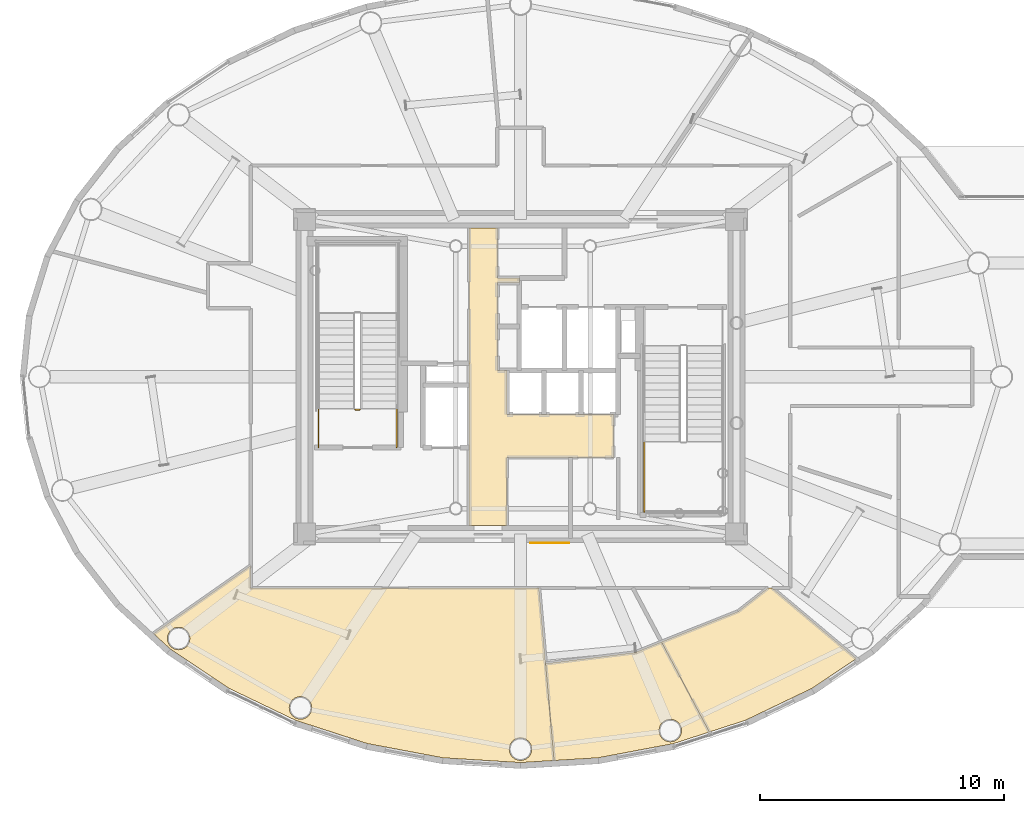
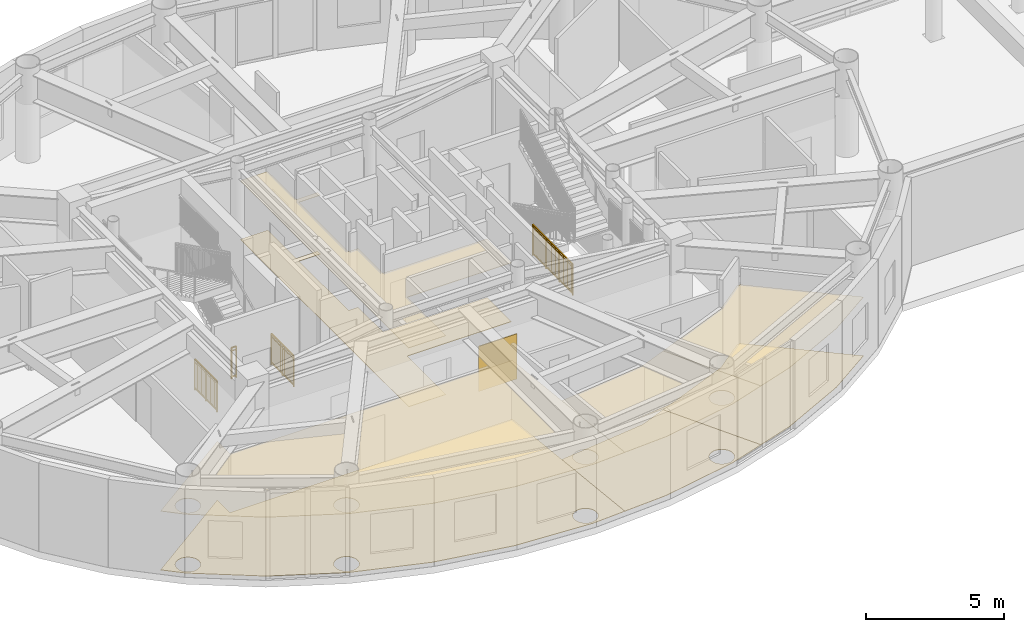
# One storey, part 20 of 26: 9 coverings, 4 railings.
"""IFC4 building model written with IfcOpenShell, lengths in metres."""

from ifc_helpers import new_model, si_unit, direction, frame, origin, origin_2d, place, context, subcontext, project, spatial, polyline, rectangle, outline, extrude, source, transform, mapped, material, layer, layer_set, type_object, element, save


model = new_model("IFC4")

# Units and contexts
model_context = context("Model", 3, precision=1e-05, world=origin(), true_north=direction((0.0, 1.0)))
body_context = subcontext(model_context, "Body", "Model", "MODEL_VIEW")
ifc_project = project(units=[si_unit("LENGTHUNIT", "METRE"), si_unit("AREAUNIT", "SQUARE_METRE"), si_unit("VOLUMEUNIT", "CUBIC_METRE"), si_unit("PLANEANGLEUNIT", "RADIAN"), si_unit("MASSUNIT", "GRAM", prefix="KILO")], contexts=[model_context])

# Site, building, storey
site_placement = place(None, origin())
site = spatial("IfcSite", under=ifc_project, at=site_placement, CompositionType="ELEMENT")
building_placement = place(site_placement, origin())
building = spatial("IfcBuilding", under=site, at=building_placement, Name="Linh Dai School and Residence Tower", CompositionType="ELEMENT")
storey_placement = place(building_placement, frame((0.0, 0.0, 346.800048828125)))
storey = spatial("IfcBuildingStorey", under=building, at=storey_placement, Name="L86", CompositionType="ELEMENT", Elevation=346.800048828125)

# Coverings
ifc_material_1 = material(Name="Mineral Fibre Acoustic Suspended Ceiling", Category="masonry")
ifc_layer_1 = layer(ifc_material_1, 0.02001953125)
ifc_layer_set_1 = layer_set([ifc_layer_1], Name="Mineral Fibre Acoustic Suspended Ceiling")
covering_type_1 = type_object("IfcCoveringType", Name="COV-CEIL-AC-20", PredefinedType="CEILING", material=ifc_layer_set_1)
covering_1_placement = place(storey_placement, frame((0.0, 0.0, 2.599853515625)))
element("IfcCovering", 1, at=covering_1_placement, inside=storey, type_object=covering_type_1, Name="L86 Passenger Lift Lobby Suspended Ceiling", PredefinedType="CEILING", context=body_context, shape_type="SweptSolid", body=[
    extrude(outline(polyline([(35.050048828125, 33.10009765625), (35.050048828125, 31.050048828125), (35.949951171875, 31.050048828125), (35.949951171875, 30.85009765625), (35.050048828125, 30.85009765625), (35.050048828125, 27.25), (35.449951171875, 27.25), (35.449951171875, 25.449951171875), (39.800048828125, 25.449951171875), (39.800048828125, 23.699951171875), (35.449951171875, 23.699951171875), (35.449951171875, 20.89990234375), (33.89990234375, 20.89990234375), (33.89990234375, 33.10009765625), (35.050048828125, 33.10009765625)])), origin(), (0.0, 0.0, 1.0), 0.02001953125),
])
covering_2_placement = place(storey_placement, frame((0.0, 0.0, 2.599853515625)))
element("IfcCovering", 2, at=covering_2_placement, inside=storey, type_object=covering_type_1, Name="L86 Sunset Cocktail Lounge West Suspended Ceiling", PredefinedType="CEILING", context=body_context, shape_type="SweptSolid", body=[
    extrude(outline(polyline([(32.823974609375, 11.390869140625), (29.726806640625, 11.97314453125), (26.785888671875, 12.927001953125), (24.073974609375, 14.228515625), (21.658447265625, 15.84423828125), (20.9697265625, 16.4755859375), (24.949951171875, 19.2626953125), (24.949951171875, 18.35009765625), (36.7568359375, 18.35009765625), (37.375244140625, 11.27978515625), (36.0, 11.195068359375), (32.823974609375, 11.390869140625)]), holes=[polyline([(36.4619140625, 11.7451171875), (36.4462890625, 11.864501953125), (36.400146484375, 11.97607421875), (36.32666015625, 12.07177734375), (36.23095703125, 12.14501953125), (36.11962890625, 12.19140625), (36.0, 12.20703125), (35.88037109375, 12.19140625), (35.76904296875, 12.14501953125), (35.67333984375, 12.07177734375), (35.599853515625, 11.97607421875), (35.5537109375, 11.864501953125), (35.5380859375, 11.7451171875), (35.5537109375, 11.62548828125), (35.599853515625, 11.513916015625), (35.67333984375, 11.418212890625), (35.76904296875, 11.344970703125), (35.88037109375, 11.298583984375), (36.0, 11.282958984375), (36.11962890625, 11.298583984375), (36.23095703125, 11.344970703125), (36.32666015625, 11.418212890625), (36.400146484375, 11.513916015625), (36.4462890625, 11.62548828125), (36.4619140625, 11.7451171875)]), polyline([(27.43603515625, 13.318359375), (27.45166015625, 13.43798828125), (27.43603515625, 13.5576171875), (27.389892578125, 13.6689453125), (27.31640625, 13.7646484375), (27.220703125, 13.837890625), (27.109375, 13.88427734375), (26.98974609375, 13.89990234375), (26.8701171875, 13.88427734375), (26.7587890625, 13.837890625), (26.6630859375, 13.7646484375), (26.589599609375, 13.6689453125), (26.54345703125, 13.5576171875), (26.527587890625, 13.43798828125), (26.54345703125, 13.318359375), (26.589599609375, 13.206787109375), (26.6630859375, 13.111083984375), (26.7587890625, 13.037841796875), (26.8701171875, 12.99169921875), (26.98974609375, 12.975830078125), (27.109375, 12.99169921875), (27.220703125, 13.037841796875), (27.31640625, 13.111083984375), (27.389892578125, 13.206787109375), (27.43603515625, 13.318359375)]), polyline([(22.44384765625, 16.15771484375), (22.459716796875, 16.277099609375), (22.44384765625, 16.396728515625), (22.397705078125, 16.50830078125), (22.32421875, 16.60400390625), (22.228515625, 16.67724609375), (22.1171875, 16.723388671875), (21.99755859375, 16.7392578125), (21.8779296875, 16.723388671875), (21.7666015625, 16.67724609375), (21.6708984375, 16.60400390625), (21.597412109375, 16.50830078125), (21.55126953125, 16.396728515625), (21.53564453125, 16.277099609375), (21.55126953125, 16.15771484375), (21.597412109375, 16.046142578125), (21.6708984375, 15.950439453125), (21.7666015625, 15.877197265625), (21.8779296875, 15.8310546875), (21.99755859375, 15.815185546875), (22.1171875, 15.8310546875), (22.228515625, 15.877197265625), (22.32421875, 15.950439453125), (22.397705078125, 16.046142578125), (22.44384765625, 16.15771484375)])]), origin(), (0.0, 0.0, 1.0), 0.02001953125),
])
covering_3_placement = place(storey_placement, frame((0.0, 0.0, 2.599853515625)))
element("IfcCovering", 3, at=covering_3_placement, inside=storey, type_object=covering_type_1, Name="L86 Sky Viewing Alcove MWC Suspended Ceiling", PredefinedType="CEILING", context=body_context, shape_type="SweptSolid", body=[
    extrude(outline(polyline([(40.687744140625, 15.70068359375), (41.77685546875, 16.135498046875), (43.7373046875, 12.447998046875), (42.273193359375, 11.97314453125), (39.176025390625, 11.390869140625), (37.375244140625, 11.27978515625), (37.0283203125, 15.246826171875), (40.687744140625, 15.70068359375)]), holes=[polyline([(42.583740234375, 12.625732421875), (42.53759765625, 12.737060546875), (42.464111328125, 12.832763671875), (42.36865234375, 12.90625), (42.257080078125, 12.952392578125), (42.1376953125, 12.968017578125), (42.01806640625, 12.952392578125), (41.906494140625, 12.90625), (41.810791015625, 12.832763671875), (41.737548828125, 12.737060546875), (41.69140625, 12.625732421875), (41.675537109375, 12.506103515625), (41.69140625, 12.386474609375), (41.737548828125, 12.275146484375), (41.810791015625, 12.179443359375), (41.906494140625, 12.10595703125), (42.01806640625, 12.059814453125), (42.1376953125, 12.044189453125), (42.257080078125, 12.059814453125), (42.36865234375, 12.10595703125), (42.464111328125, 12.179443359375), (42.53759765625, 12.275146484375), (42.583740234375, 12.386474609375), (42.599609375, 12.506103515625), (42.583740234375, 12.625732421875)])]), origin(), (0.0, 0.0, 1.0), 0.02001953125),
])
covering_4_placement = place(storey_placement, frame((0.0, 0.0, 2.599853515625)))
element("IfcCovering", 4, at=covering_4_placement, inside=storey, type_object=covering_type_1, Name="L86 Sky Viewing Alcove FWC Suspended Ceiling", PredefinedType="CEILING", context=body_context, shape_type="SweptSolid", body=[
    extrude(outline(polyline([(44.916748046875, 17.38818359375), (46.14453125, 18.35009765625), (46.30859375, 18.35009765625), (49.75927734375, 15.45458984375), (47.926025390625, 14.228515625), (45.214111328125, 12.927001953125), (43.7373046875, 12.447998046875), (41.77685546875, 16.135498046875), (44.916748046875, 17.38818359375)])), origin(), (0.0, 0.0, 1.0), 0.02001953125),
])
ifc_material_2 = material(Name="Polished Terrazzo Floor Finish", Category="masonry")
ifc_layer_2 = layer(ifc_material_2, 0.02490234375)
ifc_layer_set_2 = layer_set([ifc_layer_2], Name="Polished Terrazzo Floor Finish")
covering_type_2 = type_object("IfcCoveringType", Name="COV-FLR-TRZ-25", PredefinedType="FLOORING", material=ifc_layer_set_2)
covering_5_placement = place(storey_placement, origin())
element("IfcCovering", 5, at=covering_5_placement, inside=storey, type_object=covering_type_2, Name="L86 Passenger Lift Lobby Floor Finish", PredefinedType="FLOORING", context=body_context, shape_type="SweptSolid", body=[
    extrude(outline(polyline([(35.050048828125, 33.10009765625), (35.050048828125, 31.050048828125), (35.949951171875, 31.050048828125), (35.949951171875, 30.85009765625), (35.050048828125, 30.85009765625), (35.050048828125, 27.25), (35.449951171875, 27.25), (35.449951171875, 25.449951171875), (39.800048828125, 25.449951171875), (39.800048828125, 23.699951171875), (35.449951171875, 23.699951171875), (35.449951171875, 20.89990234375), (33.89990234375, 20.89990234375), (33.89990234375, 33.10009765625), (35.050048828125, 33.10009765625)])), origin(), (0.0, 0.0, 1.0), 0.02001953125),
])
covering_6_placement = place(storey_placement, origin())
element("IfcCovering", 6, at=covering_6_placement, inside=storey, type_object=covering_type_2, Name="L86 Sunset Cocktail Lounge West Floor Finish", PredefinedType="FLOORING", context=body_context, shape_type="SweptSolid", body=[
    extrude(outline(polyline([(32.823974609375, 11.390869140625), (29.726806640625, 11.97314453125), (26.785888671875, 12.927001953125), (24.073974609375, 14.228515625), (21.658447265625, 15.84423828125), (20.9697265625, 16.4755859375), (24.949951171875, 19.2626953125), (24.949951171875, 18.35009765625), (36.7568359375, 18.35009765625), (37.375244140625, 11.27978515625), (36.0, 11.195068359375), (32.823974609375, 11.390869140625)]), holes=[polyline([(36.4619140625, 11.7451171875), (36.4462890625, 11.864501953125), (36.400146484375, 11.97607421875), (36.32666015625, 12.07177734375), (36.23095703125, 12.14501953125), (36.11962890625, 12.19140625), (36.0, 12.20703125), (35.88037109375, 12.19140625), (35.76904296875, 12.14501953125), (35.67333984375, 12.07177734375), (35.599853515625, 11.97607421875), (35.5537109375, 11.864501953125), (35.5380859375, 11.7451171875), (35.5537109375, 11.62548828125), (35.599853515625, 11.513916015625), (35.67333984375, 11.418212890625), (35.76904296875, 11.344970703125), (35.88037109375, 11.298583984375), (36.0, 11.282958984375), (36.11962890625, 11.298583984375), (36.23095703125, 11.344970703125), (36.32666015625, 11.418212890625), (36.400146484375, 11.513916015625), (36.4462890625, 11.62548828125), (36.4619140625, 11.7451171875)]), polyline([(27.43603515625, 13.318359375), (27.45166015625, 13.43798828125), (27.43603515625, 13.5576171875), (27.389892578125, 13.6689453125), (27.31640625, 13.7646484375), (27.220703125, 13.837890625), (27.109375, 13.88427734375), (26.98974609375, 13.89990234375), (26.8701171875, 13.88427734375), (26.7587890625, 13.837890625), (26.6630859375, 13.7646484375), (26.589599609375, 13.6689453125), (26.54345703125, 13.5576171875), (26.527587890625, 13.43798828125), (26.54345703125, 13.318359375), (26.589599609375, 13.206787109375), (26.6630859375, 13.111083984375), (26.7587890625, 13.037841796875), (26.8701171875, 12.99169921875), (26.98974609375, 12.975830078125), (27.109375, 12.99169921875), (27.220703125, 13.037841796875), (27.31640625, 13.111083984375), (27.389892578125, 13.206787109375), (27.43603515625, 13.318359375)]), polyline([(22.44384765625, 16.15771484375), (22.459716796875, 16.277099609375), (22.44384765625, 16.396728515625), (22.397705078125, 16.50830078125), (22.32421875, 16.60400390625), (22.228515625, 16.67724609375), (22.1171875, 16.723388671875), (21.99755859375, 16.7392578125), (21.8779296875, 16.723388671875), (21.7666015625, 16.67724609375), (21.6708984375, 16.60400390625), (21.597412109375, 16.50830078125), (21.55126953125, 16.396728515625), (21.53564453125, 16.277099609375), (21.55126953125, 16.15771484375), (21.597412109375, 16.046142578125), (21.6708984375, 15.950439453125), (21.7666015625, 15.877197265625), (21.8779296875, 15.8310546875), (21.99755859375, 15.815185546875), (22.1171875, 15.8310546875), (22.228515625, 15.877197265625), (22.32421875, 15.950439453125), (22.397705078125, 16.046142578125), (22.44384765625, 16.15771484375)])]), origin(), (0.0, 0.0, 1.0), 0.02001953125),
])
covering_7_placement = place(storey_placement, origin())
element("IfcCovering", 7, at=covering_7_placement, inside=storey, type_object=covering_type_2, Name="L86 Sky Viewing Alcove MWC Floor Finish", PredefinedType="FLOORING", context=body_context, shape_type="SweptSolid", body=[
    extrude(outline(polyline([(40.687744140625, 15.70068359375), (41.77685546875, 16.135498046875), (43.7373046875, 12.447998046875), (42.273193359375, 11.97314453125), (39.176025390625, 11.390869140625), (37.375244140625, 11.27978515625), (37.0283203125, 15.246826171875), (40.687744140625, 15.70068359375)]), holes=[polyline([(42.583740234375, 12.625732421875), (42.53759765625, 12.737060546875), (42.464111328125, 12.832763671875), (42.36865234375, 12.90625), (42.257080078125, 12.952392578125), (42.1376953125, 12.968017578125), (42.01806640625, 12.952392578125), (41.906494140625, 12.90625), (41.810791015625, 12.832763671875), (41.737548828125, 12.737060546875), (41.69140625, 12.625732421875), (41.675537109375, 12.506103515625), (41.69140625, 12.386474609375), (41.737548828125, 12.275146484375), (41.810791015625, 12.179443359375), (41.906494140625, 12.10595703125), (42.01806640625, 12.059814453125), (42.1376953125, 12.044189453125), (42.257080078125, 12.059814453125), (42.36865234375, 12.10595703125), (42.464111328125, 12.179443359375), (42.53759765625, 12.275146484375), (42.583740234375, 12.386474609375), (42.599609375, 12.506103515625), (42.583740234375, 12.625732421875)])]), origin(), (0.0, 0.0, 1.0), 0.02001953125),
])
covering_8_placement = place(storey_placement, origin())
element("IfcCovering", 8, at=covering_8_placement, inside=storey, type_object=covering_type_2, Name="L86 Sky Viewing Alcove FWC Floor Finish", PredefinedType="FLOORING", context=body_context, shape_type="SweptSolid", body=[
    extrude(outline(polyline([(44.916748046875, 17.38818359375), (46.14453125, 18.35009765625), (46.30859375, 18.35009765625), (49.75927734375, 15.45458984375), (47.926025390625, 14.228515625), (45.214111328125, 12.927001953125), (43.7373046875, 12.447998046875), (41.77685546875, 16.135498046875), (44.916748046875, 17.38818359375)])), origin(), (0.0, 0.0, 1.0), 0.02001953125),
])

# Railings
ifc_material_3 = material(Name="Structural Steel S355JR", Category="steel")
railing_type = type_object("IfcRailingType", Name="RL-ST-GUARD-1400", PredefinedType="GUARDRAIL", material=ifc_material_3)
shared_shape_1 = source(origin(), body_context, "Body", "SweptSolid", [
    extrude(rectangle(XDim=0.048095703125, YDim=0.048095703125, at=origin_2d()), frame((0.0, 0.0, 1.3759765625), z_axis=(-1.0, 0.0, 0.0), x_axis=(0.0, -1.0, 0.0)), (0.0, 0.0, 1.0), 0.199951171875),
    extrude(rectangle(XDim=0.048095703125, YDim=0.048095703125, at=origin_2d()), frame((0.0, 0.0, 0.10009765625), z_axis=(-1.0, 0.0, 0.0), x_axis=(0.0, -1.0, 0.0)), (0.0, 0.0, 1.0), 0.199951171875),
    extrude(rectangle(XDim=0.030029296875, YDim=0.030029296875, at=origin_2d()), frame((0.0, 0.0, 1.239990234375), z_axis=(-1.0, 0.0, 0.0), x_axis=(0.0, -1.0, 0.0)), (0.0, 0.0, 1.0), 0.199951171875),
    extrude(rectangle(XDim=0.0419921875, YDim=0.0419921875, at=origin_2d()), origin(), (0.0, 0.0, 1.0), 1.3759765625),
    extrude(rectangle(XDim=0.0419921875, YDim=0.0419921875, at=origin_2d()), frame((-0.199951171875, 0.0, 0.0)), (0.0, 0.0, 1.0), 1.3759765625),
])
railing_1_placement = place(storey_placement, frame((29.429931640625, 25.64990234375, 0.0)))
element("IfcRailing", 9, at=railing_1_placement, inside=storey, type_object=railing_type, Name="L86 ST1 stair guard 7", PredefinedType="GUARDRAIL", context=body_context, shape_type="MappedRepresentation", body=[
    mapped(shared_shape_1, transform((0.0, 0.0, 0.0), x_axis=(1.0, 0.0, 0.0), y_axis=(0.0, 1.0, 0.0), z_axis=(0.0, 0.0, 1.0), scale=1.0)),
])
shared_shape_2 = source(origin(), body_context, "Body", "SweptSolid", [
    extrude(rectangle(XDim=0.048095703125, YDim=0.048095703125, at=origin_2d()), frame((0.0, 0.0, 1.3759765625), z_axis=(0.0, 1.0, 0.0), x_axis=(-1.0, 0.0, 0.0)), (0.0, 0.0, 1.0), 1.599853515625),
    extrude(rectangle(XDim=0.048095703125, YDim=0.048095703125, at=origin_2d()), frame((0.0, 0.0, 0.10009765625), z_axis=(0.0, 1.0, 0.0), x_axis=(-1.0, 0.0, 0.0)), (0.0, 0.0, 1.0), 1.599853515625),
    extrude(rectangle(XDim=0.030029296875, YDim=0.030029296875, at=origin_2d()), frame((0.0, 0.0, 1.239990234375), z_axis=(0.0, 1.0, 0.0), x_axis=(-1.0, 0.0, 0.0)), (0.0, 0.0, 1.0), 1.599853515625),
    extrude(rectangle(XDim=0.02001953125, YDim=0.02001953125, at=origin_2d()), frame((0.0, 0.093994140625, 0.10009765625)), (0.0, 0.0, 1.0), 1.251708984375),
    extrude(rectangle(XDim=0.02001953125, YDim=0.02001953125, at=origin_2d()), frame((0.0, 0.188232421875, 0.10009765625)), (0.0, 0.0, 1.0), 1.251708984375),
    extrude(rectangle(XDim=0.02001953125, YDim=0.02001953125, at=origin_2d()), frame((0.0, 0.2822265625, 0.10009765625)), (0.0, 0.0, 1.0), 1.251708984375),
    extrude(rectangle(XDim=0.02001953125, YDim=0.02001953125, at=origin_2d()), frame((0.0, 0.37646484375, 0.10009765625)), (0.0, 0.0, 1.0), 1.251708984375),
    extrude(rectangle(XDim=0.02001953125, YDim=0.02001953125, at=origin_2d()), frame((0.0, 0.470458984375, 0.10009765625)), (0.0, 0.0, 1.0), 1.251708984375),
    extrude(rectangle(XDim=0.02001953125, YDim=0.02001953125, at=origin_2d()), frame((0.0, 0.564697265625, 0.10009765625)), (0.0, 0.0, 1.0), 1.251708984375),
    extrude(rectangle(XDim=0.02001953125, YDim=0.02001953125, at=origin_2d()), frame((0.0, 0.65869140625, 0.10009765625)), (0.0, 0.0, 1.0), 1.251708984375),
    extrude(rectangle(XDim=0.02001953125, YDim=0.02001953125, at=origin_2d()), frame((0.0, 0.7529296875, 0.10009765625)), (0.0, 0.0, 1.0), 1.251708984375),
    extrude(rectangle(XDim=0.02001953125, YDim=0.02001953125, at=origin_2d()), frame((0.0, 0.846923828125, 0.10009765625)), (0.0, 0.0, 1.0), 1.251708984375),
    extrude(rectangle(XDim=0.02001953125, YDim=0.02001953125, at=origin_2d()), frame((0.0, 0.941162109375, 0.10009765625)), (0.0, 0.0, 1.0), 1.251708984375),
    extrude(rectangle(XDim=0.02001953125, YDim=0.02001953125, at=origin_2d()), frame((0.0, 1.03515625, 0.10009765625)), (0.0, 0.0, 1.0), 1.251708984375),
    extrude(rectangle(XDim=0.02001953125, YDim=0.02001953125, at=origin_2d()), frame((0.0, 1.12939453125, 0.10009765625)), (0.0, 0.0, 1.0), 1.251708984375),
    extrude(rectangle(XDim=0.02001953125, YDim=0.02001953125, at=origin_2d()), frame((0.0, 1.223388671875, 0.10009765625)), (0.0, 0.0, 1.0), 1.251708984375),
    extrude(rectangle(XDim=0.02001953125, YDim=0.02001953125, at=origin_2d()), frame((0.0, 1.317626953125, 0.10009765625)), (0.0, 0.0, 1.0), 1.251708984375),
    extrude(rectangle(XDim=0.02001953125, YDim=0.02001953125, at=origin_2d()), frame((0.0, 1.41162109375, 0.10009765625)), (0.0, 0.0, 1.0), 1.251708984375),
    extrude(rectangle(XDim=0.02001953125, YDim=0.02001953125, at=origin_2d()), frame((0.0, 1.505859375, 0.10009765625)), (0.0, 0.0, 1.0), 1.251708984375),
    extrude(rectangle(XDim=0.0419921875, YDim=0.0419921875, at=origin_2d()), origin(), (0.0, 0.0, 1.0), 1.3759765625),
    extrude(rectangle(XDim=0.0419921875, YDim=0.0419921875, at=origin_2d()), frame((0.0, 0.7998046875, 0.0)), (0.0, 0.0, 1.0), 1.3759765625),
    extrude(rectangle(XDim=0.0419921875, YDim=0.0419921875, at=origin_2d()), frame((0.0, 1.599853515625, 0.0)), (0.0, 0.0, 1.0), 1.3759765625),
])
for number, where, name in (
    (10, (30.929931640625, 24.10009765625, 0.0), "L86 ST1 stair guard 8"),
    (11, (27.72998046875, 24.10009765625, 0.0), "L86 ST1 stair guard 9"),
):
    element("IfcRailing", number, at=place(storey_placement, frame(where)), inside=storey, type_object=railing_type, Name=name, PredefinedType="GUARDRAIL", context=body_context, shape_type="MappedRepresentation", body=[
        mapped(shared_shape_2, transform((0.0, 0.0, 0.0), x_axis=(1.0, 0.0, 0.0), y_axis=(0.0, 1.0, 0.0), z_axis=(0.0, 0.0, 1.0), scale=1.0)),
    ])
shared_shape_3 = source(origin(), body_context, "Body", "SweptSolid", [
    extrude(rectangle(XDim=0.048095703125, YDim=0.048095703125, at=origin_2d()), frame((0.0, 0.0, 1.3759765625), z_axis=(0.0, -1.0, 0.0), x_axis=(1.0, 0.0, 0.0)), (0.0, 0.0, 1.0), 2.900146484375),
    extrude(rectangle(XDim=0.048095703125, YDim=0.048095703125, at=origin_2d()), frame((0.0, 0.0, 0.10009765625), z_axis=(0.0, -1.0, 0.0), x_axis=(1.0, 0.0, 0.0)), (0.0, 0.0, 1.0), 2.900146484375),
    extrude(rectangle(XDim=0.030029296875, YDim=0.030029296875, at=origin_2d()), frame((0.0, 0.0, 1.239990234375), z_axis=(0.0, -1.0, 0.0), x_axis=(1.0, 0.0, 0.0)), (0.0, 0.0, 1.0), 2.900146484375),
    extrude(rectangle(XDim=0.02001953125, YDim=0.02001953125, at=origin_2d()), frame((0.0, -0.0966796875, 0.10009765625)), (0.0, 0.0, 1.0), 1.251708984375),
    extrude(rectangle(XDim=0.02001953125, YDim=0.02001953125, at=origin_2d()), frame((0.0, -0.193359375, 0.10009765625)), (0.0, 0.0, 1.0), 1.251708984375),
    extrude(rectangle(XDim=0.02001953125, YDim=0.02001953125, at=origin_2d()), frame((0.0, -0.2900390625, 0.10009765625)), (0.0, 0.0, 1.0), 1.251708984375),
    extrude(rectangle(XDim=0.02001953125, YDim=0.02001953125, at=origin_2d()), frame((0.0, -0.38671875, 0.10009765625)), (0.0, 0.0, 1.0), 1.251708984375),
    extrude(rectangle(XDim=0.02001953125, YDim=0.02001953125, at=origin_2d()), frame((0.0, -0.4833984375, 0.10009765625)), (0.0, 0.0, 1.0), 1.251708984375),
    extrude(rectangle(XDim=0.02001953125, YDim=0.02001953125, at=origin_2d()), frame((0.0, -0.580078125, 0.10009765625)), (0.0, 0.0, 1.0), 1.251708984375),
    extrude(rectangle(XDim=0.02001953125, YDim=0.02001953125, at=origin_2d()), frame((0.0, -0.6767578125, 0.10009765625)), (0.0, 0.0, 1.0), 1.251708984375),
    extrude(rectangle(XDim=0.02001953125, YDim=0.02001953125, at=origin_2d()), frame((0.0, -0.7734375, 0.10009765625)), (0.0, 0.0, 1.0), 1.251708984375),
    extrude(rectangle(XDim=0.02001953125, YDim=0.02001953125, at=origin_2d()), frame((0.0, -0.8701171875, 0.10009765625)), (0.0, 0.0, 1.0), 1.251708984375),
    extrude(rectangle(XDim=0.02001953125, YDim=0.02001953125, at=origin_2d()), frame((0.0, -1.0634765625, 0.10009765625)), (0.0, 0.0, 1.0), 1.251708984375),
    extrude(rectangle(XDim=0.02001953125, YDim=0.02001953125, at=origin_2d()), frame((0.0, -1.16015625, 0.10009765625)), (0.0, 0.0, 1.0), 1.251708984375),
    extrude(rectangle(XDim=0.02001953125, YDim=0.02001953125, at=origin_2d()), frame((0.0, -1.2568359375, 0.10009765625)), (0.0, 0.0, 1.0), 1.251708984375),
    extrude(rectangle(XDim=0.02001953125, YDim=0.02001953125, at=origin_2d()), frame((0.0, -1.353515625, 0.10009765625)), (0.0, 0.0, 1.0), 1.251708984375),
    extrude(rectangle(XDim=0.02001953125, YDim=0.02001953125, at=origin_2d()), frame((0.0, -1.4501953125, 0.10009765625)), (0.0, 0.0, 1.0), 1.251708984375),
    extrude(rectangle(XDim=0.02001953125, YDim=0.02001953125, at=origin_2d()), frame((0.0, -1.546630859375, 0.10009765625)), (0.0, 0.0, 1.0), 1.251708984375),
    extrude(rectangle(XDim=0.02001953125, YDim=0.02001953125, at=origin_2d()), frame((0.0, -1.643310546875, 0.10009765625)), (0.0, 0.0, 1.0), 1.251708984375),
    extrude(rectangle(XDim=0.02001953125, YDim=0.02001953125, at=origin_2d()), frame((0.0, -1.739990234375, 0.10009765625)), (0.0, 0.0, 1.0), 1.251708984375),
    extrude(rectangle(XDim=0.02001953125, YDim=0.02001953125, at=origin_2d()), frame((0.0, -1.836669921875, 0.10009765625)), (0.0, 0.0, 1.0), 1.251708984375),
    extrude(rectangle(XDim=0.02001953125, YDim=0.02001953125, at=origin_2d()), frame((0.0, -2.030029296875, 0.10009765625)), (0.0, 0.0, 1.0), 1.251708984375),
    extrude(rectangle(XDim=0.02001953125, YDim=0.02001953125, at=origin_2d()), frame((0.0, -2.126708984375, 0.10009765625)), (0.0, 0.0, 1.0), 1.251708984375),
    extrude(rectangle(XDim=0.02001953125, YDim=0.02001953125, at=origin_2d()), frame((0.0, -2.223388671875, 0.10009765625)), (0.0, 0.0, 1.0), 1.251708984375),
    extrude(rectangle(XDim=0.02001953125, YDim=0.02001953125, at=origin_2d()), frame((0.0, -2.320068359375, 0.10009765625)), (0.0, 0.0, 1.0), 1.251708984375),
    extrude(rectangle(XDim=0.02001953125, YDim=0.02001953125, at=origin_2d()), frame((0.0, -2.416748046875, 0.10009765625)), (0.0, 0.0, 1.0), 1.251708984375),
    extrude(rectangle(XDim=0.02001953125, YDim=0.02001953125, at=origin_2d()), frame((0.0, -2.513427734375, 0.10009765625)), (0.0, 0.0, 1.0), 1.251708984375),
    extrude(rectangle(XDim=0.02001953125, YDim=0.02001953125, at=origin_2d()), frame((0.0, -2.610107421875, 0.10009765625)), (0.0, 0.0, 1.0), 1.251708984375),
    extrude(rectangle(XDim=0.02001953125, YDim=0.02001953125, at=origin_2d()), frame((0.0, -2.706787109375, 0.10009765625)), (0.0, 0.0, 1.0), 1.251708984375),
    extrude(rectangle(XDim=0.02001953125, YDim=0.02001953125, at=origin_2d()), frame((0.0, -2.803466796875, 0.10009765625)), (0.0, 0.0, 1.0), 1.251708984375),
    extrude(rectangle(XDim=0.0419921875, YDim=0.0419921875, at=origin_2d()), origin(), (0.0, 0.0, 1.0), 1.3759765625),
    extrude(rectangle(XDim=0.0419921875, YDim=0.0419921875, at=origin_2d()), frame((0.0, -0.966796875, 0.0)), (0.0, 0.0, 1.0), 1.3759765625),
    extrude(rectangle(XDim=0.0419921875, YDim=0.0419921875, at=origin_2d()), frame((0.0, -1.933349609375, 0.0)), (0.0, 0.0, 1.0), 1.3759765625),
    extrude(rectangle(XDim=0.0419921875, YDim=0.0419921875, at=origin_2d()), frame((0.0, -2.900146484375, 0.0)), (0.0, 0.0, 1.0), 1.3759765625),
])
railing_2_placement = place(storey_placement, frame((41.070068359375, 24.35009765625, 2.099853515625)))
element("IfcRailing", 12, at=railing_2_placement, inside=storey, type_object=railing_type, Name="L86 ST2 stair guard 3", PredefinedType="GUARDRAIL", context=body_context, shape_type="MappedRepresentation", body=[
    mapped(shared_shape_3, transform((0.0, 0.0, 0.0), x_axis=(1.0, 0.0, 0.0), y_axis=(0.0, 1.0, 0.0), z_axis=(0.0, 0.0, 1.0), scale=1.0)),
])

# Covering
ifc_material_4 = material(Name="Glazed Terracotta Acoustic Feature Cladding", Category="masonry")
ifc_layer_3 = layer(ifc_material_4, 0.030029296875)
ifc_layer_set_3 = layer_set([ifc_layer_3], Name="Glazed Terracotta Acoustic Feature Cladding")
covering_type_3 = type_object("IfcCoveringType", Name="COV-CLAD-TC-30", PredefinedType="CLADDING", material=ifc_layer_set_3)
shared_shape_4 = source(origin(), body_context, "Body", "SweptSolid", [
    extrude(rectangle(XDim=1.60009765625, YDim=0.030029296875, at=origin_2d()), origin(), (0.0, 0.0, 1.0), 2.0),
])
covering_9_placement = place(storey_placement, frame((37.199951171875, 20.18505859375, 0.25), z_axis=(0.0, 0.0, 1.0), x_axis=(1.0, 0.0, 0.0)))
element("IfcCovering", 13, at=covering_9_placement, inside=storey, type_object=covering_type_3, Name="L86 Core Lobby Terracotta Feature Cladding", PredefinedType="CLADDING", context=body_context, shape_type="MappedRepresentation", body=[
    mapped(shared_shape_4, transform((0.0, 0.0, 0.0), x_axis=(1.0, 0.0, 0.0), y_axis=(0.0, 1.0, 0.0), z_axis=(0.0, 0.0, 1.0), scale=1.0)),
])

save(model, "model.ifc")
